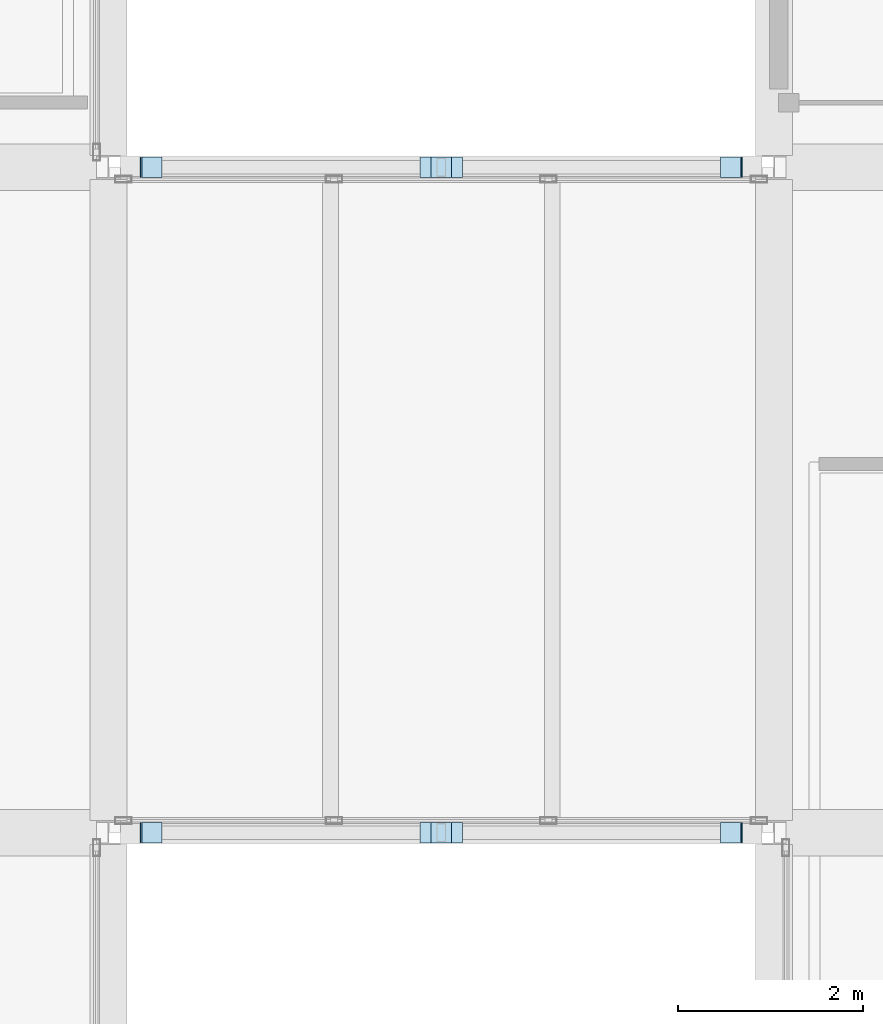
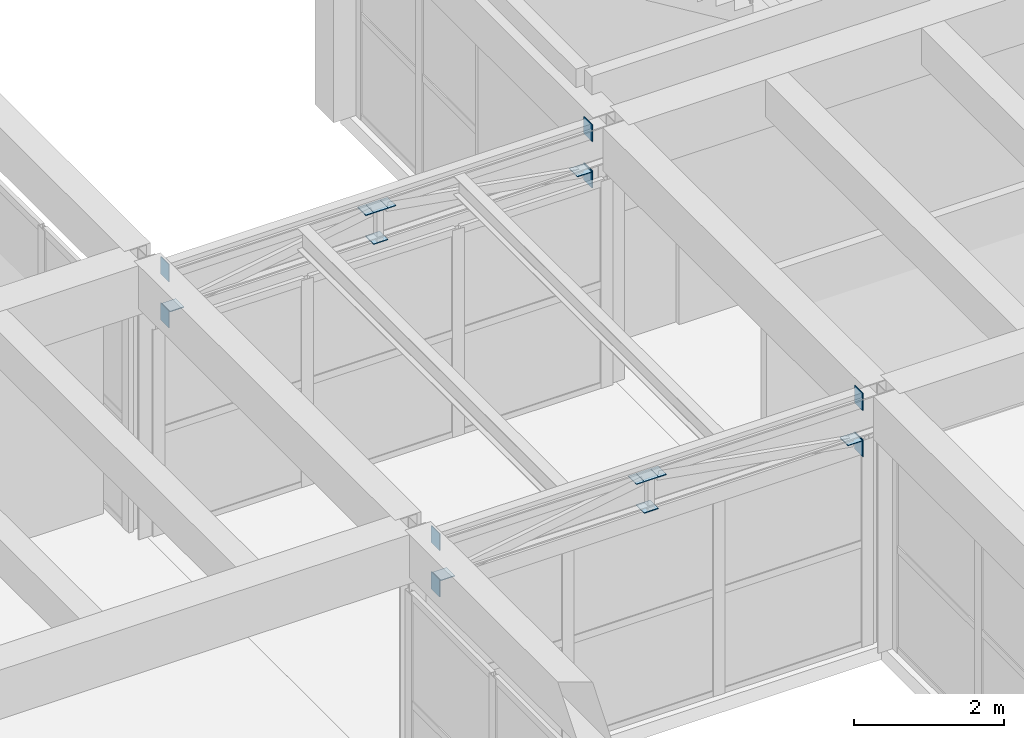
# One storey, part 131 of 153: 20 plates.
"""IFC4 building model written with IfcOpenShell, lengths in metres."""

from ifc_helpers import new_model, si_unit, direction, frame, origin, origin_2d, place, context, subcontext, project, spatial, rectangle, extrude, material, layer, layer_set, type_object, element, save


model = new_model("IFC4")

# Units and contexts
model_context = context("Model", 3, precision=1e-05, world=origin(), true_north=direction((0.0, 1.0)))
body_context = subcontext(model_context, "Body", "Model", "MODEL_VIEW")
ifc_project = project(units=[si_unit("LENGTHUNIT", "METRE"), si_unit("AREAUNIT", "SQUARE_METRE"), si_unit("VOLUMEUNIT", "CUBIC_METRE"), si_unit("PLANEANGLEUNIT", "RADIAN"), si_unit("MASSUNIT", "GRAM", prefix="KILO")], contexts=[model_context])

# Site, building, storey
site_placement = place(None, origin())
site = spatial("IfcSite", under=ifc_project, at=site_placement, CompositionType="ELEMENT")
building_placement = place(site_placement, origin())
building = spatial("IfcBuilding", under=site, at=building_placement, Name="Bramvelor Terrace Health Centre", CompositionType="ELEMENT")
storey_placement = place(building_placement, frame((0.0, 0.0, 4.800048828125)))
storey = spatial("IfcBuildingStorey", under=building, at=storey_placement, Name="L02", CompositionType="ELEMENT", Elevation=4.800048828125)

# Plates
ifc_material = material(Name="Steel S355J2", Category="steel")
ifc_layer = layer(ifc_material, 0.011962890625)
ifc_layer_set = layer_set([ifc_layer], Name="Steel S355J2")
plate_type = type_object("IfcPlateType", Name="PLT-CAP-12", PredefinedType="USERDEFINED", material=ifc_layer_set)
for number, where, z_axis, x_axis, name in (
    (1, (94.070068359375, 50.39990234375, 3.51416015625), (0.0, 0.0, 1.0), (1.0, 0.0, 0.0), "BR3 Truss Node Gusset 0A"),
    (2, (97.080078125, 50.39990234375, 4.02392578125), (0.0, 0.0, 1.0), (1.0, 0.0, 0.0), "BR3 Truss Node Gusset 0B"),
    (3, (97.199951171875, 50.39990234375, 3.51416015625), (0.0, 0.0, 1.0), (1.0, 0.0, 0.0), "BR3 Strut End Plate 1SB"),
    (4, (97.199951171875, 50.39990234375, 4.02392578125), (0.0, 0.0, 1.0), (1.0, 0.0, 0.0), "BR3 Strut End Plate 1ST"),
    (5, (97.320068359375, 50.39990234375, 4.02392578125), (0.0, 0.0, 1.0), (1.0, 0.0, 0.0), "BR3 Truss Node Gusset 1A"),
    (6, (100.330078125, 50.39990234375, 3.51416015625), (0.0, 0.0, 1.0), (1.0, 0.0, 0.0), "BR3 Truss Node Gusset 1B"),
):
    element("IfcPlate", number, at=place(storey_placement, frame(where, z_axis=z_axis, x_axis=x_axis)), inside=storey, type_object=plate_type, Name=name, ObjectType="GUSSET PLATE", PredefinedType="USERDEFINED", context=body_context, shape_type="SweptSolid", body=[
        extrude(rectangle(XDim=0.219970703125, YDim=0.219970703125, at=origin_2d()), origin(), (0.0, 0.0, 1.0), 0.011962890625),
    ])
for number, where, z_axis, x_axis, name in (
    (7, (93.949951171875, 50.39990234375, 3.259765625), (0.0, 0.0, 1.0), (1.0, 0.0, 0.0), "BR3 Truss Chord End Plate"),
    (8, (93.949951171875, 50.39990234375, 4.009765625), (0.0, 0.0, 1.0), (1.0, 0.0, 0.0), "BR3 Truss Chord End Plate"),
    (9, (100.449951171875, 50.39990234375, 3.259765625), (0.0, 0.0, 1.0), (1.0, 0.0, 0.0), "BR3 Truss Chord End Plate"),
    (10, (100.449951171875, 50.39990234375, 4.009765625), (0.0, 0.0, 1.0), (1.0, 0.0, 0.0), "BR3 Truss Chord End Plate"),
):
    element("IfcPlate", number, at=place(storey_placement, frame(where, z_axis=z_axis, x_axis=x_axis)), inside=storey, type_object=plate_type, Name=name, ObjectType="GUSSET PLATE", PredefinedType="USERDEFINED", context=body_context, shape_type="SweptSolid", body=[
        extrude(rectangle(XDim=0.011962890625, YDim=0.219970703125, at=origin_2d()), origin(), (0.0, 0.0, 1.0), 0.280029296875),
    ])
for number, where, z_axis, x_axis, name in (
    (11, (94.070068359375, 57.60009765625, 3.51416015625), (0.0, 0.0, 1.0), (1.0, 0.0, 0.0), "BR3 Truss Node Gusset 0A"),
    (12, (97.080078125, 57.60009765625, 4.02392578125), (0.0, 0.0, 1.0), (1.0, 0.0, 0.0), "BR3 Truss Node Gusset 0B"),
    (13, (97.199951171875, 57.60009765625, 3.51416015625), (0.0, 0.0, 1.0), (1.0, 0.0, 0.0), "BR3 Strut End Plate 1SB"),
    (14, (97.199951171875, 57.60009765625, 4.02392578125), (0.0, 0.0, 1.0), (1.0, 0.0, 0.0), "BR3 Strut End Plate 1ST"),
    (15, (97.320068359375, 57.60009765625, 4.02392578125), (0.0, 0.0, 1.0), (1.0, 0.0, 0.0), "BR3 Truss Node Gusset 1A"),
    (16, (100.330078125, 57.60009765625, 3.51416015625), (0.0, 0.0, 1.0), (1.0, 0.0, 0.0), "BR3 Truss Node Gusset 1B"),
):
    element("IfcPlate", number, at=place(storey_placement, frame(where, z_axis=z_axis, x_axis=x_axis)), inside=storey, type_object=plate_type, Name=name, ObjectType="GUSSET PLATE", PredefinedType="USERDEFINED", context=body_context, shape_type="SweptSolid", body=[
        extrude(rectangle(XDim=0.219970703125, YDim=0.219970703125, at=origin_2d()), origin(), (0.0, 0.0, 1.0), 0.011962890625),
    ])
for number, where, z_axis, x_axis, name in (
    (17, (93.949951171875, 57.60009765625, 3.259765625), (0.0, 0.0, 1.0), (1.0, 0.0, 0.0), "BR3 Truss Chord End Plate"),
    (18, (93.949951171875, 57.60009765625, 4.009765625), (0.0, 0.0, 1.0), (1.0, 0.0, 0.0), "BR3 Truss Chord End Plate"),
    (19, (100.449951171875, 57.60009765625, 3.259765625), (0.0, 0.0, 1.0), (1.0, 0.0, 0.0), "BR3 Truss Chord End Plate"),
    (20, (100.449951171875, 57.60009765625, 4.009765625), (0.0, 0.0, 1.0), (1.0, 0.0, 0.0), "BR3 Truss Chord End Plate"),
):
    element("IfcPlate", number, at=place(storey_placement, frame(where, z_axis=z_axis, x_axis=x_axis)), inside=storey, type_object=plate_type, Name=name, ObjectType="GUSSET PLATE", PredefinedType="USERDEFINED", context=body_context, shape_type="SweptSolid", body=[
        extrude(rectangle(XDim=0.011962890625, YDim=0.219970703125, at=origin_2d()), origin(), (0.0, 0.0, 1.0), 0.280029296875),
    ])

save(model, "model.ifc")
